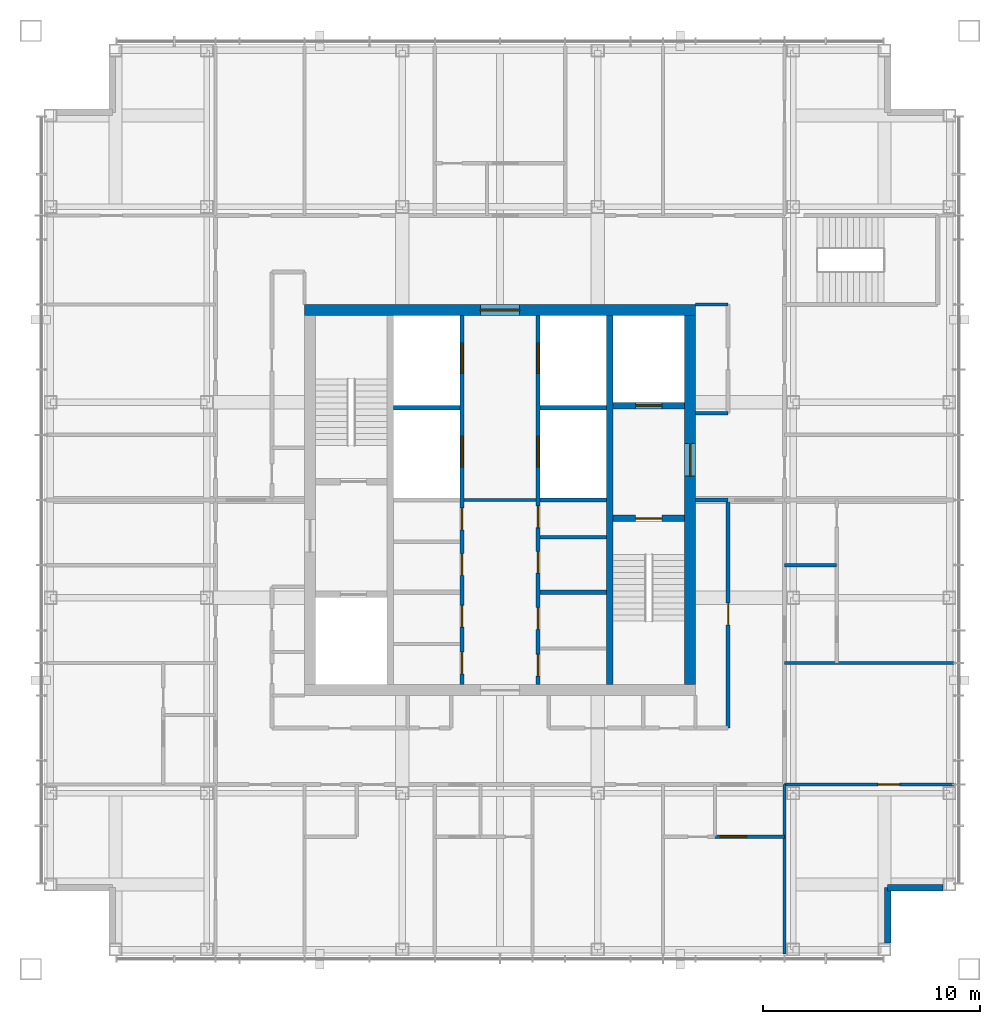
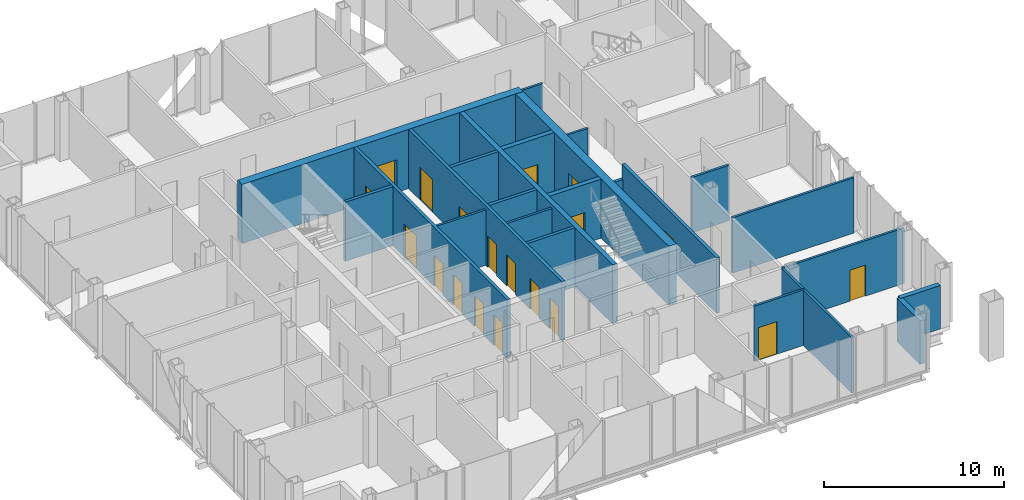
# One storey, part 9 of 12: 24 walls, 19 doors, 19 openings.
"""IFC4 building model written with IfcOpenShell, lengths in metres."""

from ifc_helpers import new_model, si_unit, direction, frame, frame_2d, origin, place, context, subcontext, project, spatial, rectangle, extrude, material, layer, layer_set, type_object, element, fill, save


model = new_model("IFC4")

# Units and contexts
model_context = context("Model", 3, precision=1e-05, world=origin(), true_north=direction((0.0, 1.0)))
body_context = subcontext(model_context, "Body", "Model", "MODEL_VIEW")
ifc_project = project(units=[si_unit("LENGTHUNIT", "METRE"), si_unit("AREAUNIT", "SQUARE_METRE"), si_unit("VOLUMEUNIT", "CUBIC_METRE"), si_unit("PLANEANGLEUNIT", "RADIAN"), si_unit("MASSUNIT", "GRAM", prefix="KILO")], contexts=[model_context])

# Site, building, storey
site_placement = place(None, origin())
site = spatial("IfcSite", under=ifc_project, at=site_placement, CompositionType="ELEMENT")
building_placement = place(site_placement, origin())
building = spatial("IfcBuilding", under=site, at=building_placement, Name="Malebo Sky Hospital", CompositionType="ELEMENT")
storey_placement = place(building_placement, frame((0.0, 0.0, 262.0)))
storey = spatial("IfcBuildingStorey", under=building, at=storey_placement, Name="L63", CompositionType="ELEMENT", Elevation=262.0)

# Wall, openings, doors
ifc_material_1 = material(Name="Concrete C80/95", Category="concrete")
ifc_layer_1 = layer(ifc_material_1, 0.199951171875)
ifc_layer_set_1 = layer_set([ifc_layer_1], Name="CORE INNER WALL 200")
wall_type_1 = type_object("IfcWallType", Name="CORE INNER WALL 200", PredefinedType="SHEAR", material=ifc_layer_set_1)
wall_1_placement = place(storey_placement, frame((58.25, 53.5, 0.0), z_axis=(0.0, 0.0, 1.0), x_axis=(0.0, 1.0, 0.0)))
wall_1 = element("IfcWall", 1, at=wall_1_placement, inside=storey, type_object=wall_type_1, Name="Core wall LW L63", PredefinedType="SHEAR", context=body_context, shape_type="SweptSolid", body=[
    extrude(rectangle(XDim=17.0, YDim=0.199951171875, at=frame_2d((8.5, 0.0))), origin(), (0.0, 0.0, 1.0), 4.0),
])
opening_1_placement = place(wall_1_placement, frame((0.49609375, 0.0, 0.0)))
opening_1 = element("IfcOpeningElement", 2, at=opening_1_placement, cuts=wall_1, Name="Opening D17", PredefinedType="OPENING", context=body_context, shape_type="SweptSolid", body=[
    extrude(rectangle(XDim=1.0, YDim=2.10009765625, at=frame_2d((0.5, 1.050048828125))), frame((0.0, 0.10986328125, 0.0), z_axis=(0.0, -1.0, 0.0), x_axis=(1.0, 0.0, 0.0)), (0.0, 0.0, 1.0), 0.219970703125),
])
opening_2_placement = place(wall_1_placement, frame((2.64599609375, 0.0, 0.0)))
opening_2 = element("IfcOpeningElement", 3, at=opening_2_placement, cuts=wall_1, Name="Opening D17", PredefinedType="OPENING", context=body_context, shape_type="SweptSolid", body=[
    extrude(rectangle(XDim=1.0, YDim=2.10009765625, at=frame_2d((0.5, 1.050048828125))), frame((0.0, 0.10986328125, 0.0), z_axis=(0.0, -1.0, 0.0), x_axis=(1.0, 0.0, 0.0)), (0.0, 0.0, 1.0), 0.219970703125),
])
opening_3_placement = place(wall_1_placement, frame((5.026611328125, 0.0, 0.0)))
opening_3 = element("IfcOpeningElement", 4, at=opening_3_placement, cuts=wall_1, Name="Opening D17", PredefinedType="OPENING", context=body_context, shape_type="SweptSolid", body=[
    extrude(rectangle(XDim=1.0, YDim=2.10009765625, at=frame_2d((0.5, 1.050048828125))), frame((0.0, 0.10986328125, 0.0), z_axis=(0.0, -1.0, 0.0), x_axis=(1.0, 0.0, 0.0)), (0.0, 0.0, 1.0), 0.219970703125),
])
opening_4_placement = place(wall_1_placement, frame((7.12646484375, 0.0, 0.0)))
opening_4 = element("IfcOpeningElement", 5, at=opening_4_placement, cuts=wall_1, Name="Opening D17", PredefinedType="OPENING", context=body_context, shape_type="SweptSolid", body=[
    extrude(rectangle(XDim=1.0, YDim=2.10009765625, at=frame_2d((0.5, 1.050048828125))), frame((0.0, 0.10986328125, 0.0), z_axis=(0.0, -1.0, 0.0), x_axis=(1.0, 0.0, 0.0)), (0.0, 0.0, 1.0), 0.219970703125),
])
opening_5_placement = place(wall_1_placement, frame((10.02490234375, 0.0, 0.0)))
opening_5 = element("IfcOpeningElement", 6, at=opening_5_placement, cuts=wall_1, Name="Opening LD1", PredefinedType="OPENING", context=body_context, shape_type="SweptSolid", body=[
    extrude(rectangle(XDim=1.39990234375, YDim=2.199951171875, at=frame_2d((0.699951171875, 1.10009765625))), frame((0.0, 0.10986328125, 0.0), z_axis=(0.0, -1.0, 0.0), x_axis=(1.0, 0.0, 0.0)), (0.0, 0.0, 1.0), 0.219970703125),
])
opening_6_placement = place(wall_1_placement, frame((14.324951171875, 0.0, 0.0)))
opening_6 = element("IfcOpeningElement", 7, at=opening_6_placement, cuts=wall_1, Name="Opening LD1", PredefinedType="OPENING", context=body_context, shape_type="SweptSolid", body=[
    extrude(rectangle(XDim=1.39990234375, YDim=2.199951171875, at=frame_2d((0.699951171875, 1.10009765625))), frame((0.0, 0.10986328125, 0.0), z_axis=(0.0, -1.0, 0.0), x_axis=(1.0, 0.0, 0.0)), (0.0, 0.0, 1.0), 0.219970703125),
])
ifc_material_2 = material(Name="Hardwood-faced door leaf in steel frame", Category="steel")
door_type_1 = type_object("IfcDoorType", Name="FIRE DOOR 1000", OperationType="SINGLE_SWING_LEFT", PredefinedType="DOOR", material=ifc_material_2)
door_1_placement = place(opening_1_placement, origin())
door_1 = element("IfcDoor", 8, at=door_1_placement, inside=storey, type_object=door_type_1, Name="Archive store door", OperationType="SINGLE_SWING_RIGHT", OverallHeight=2.10009765625, OverallWidth=1.0, PredefinedType="DOOR", context=body_context, shape_type="SweptSolid", body=[
    extrude(rectangle(XDim=1.0, YDim=2.10009765625, at=frame_2d((0.5, 1.050048828125))), frame((0.0, 0.02490234375, 0.0), z_axis=(0.0, -1.0, 0.0), x_axis=(1.0, 0.0, 0.0)), (0.0, 0.0, 1.0), 0.050048828125),
])
fill(opening_1, door_1)
door_2_placement = place(opening_2_placement, origin())
door_2 = element("IfcDoor", 9, at=door_2_placement, inside=storey, type_object=door_type_1, Name="General store door", OperationType="SINGLE_SWING_RIGHT", OverallHeight=2.10009765625, OverallWidth=1.0, PredefinedType="DOOR", context=body_context, shape_type="SweptSolid", body=[
    extrude(rectangle(XDim=1.0, YDim=2.10009765625, at=frame_2d((0.5, 1.050048828125))), frame((0.0, 0.02490234375, 0.0), z_axis=(0.0, -1.0, 0.0), x_axis=(1.0, 0.0, 0.0)), (0.0, 0.0, 1.0), 0.050048828125),
])
fill(opening_2, door_2)
door_3_placement = place(opening_3_placement, origin())
door_3 = element("IfcDoor", 10, at=door_3_placement, inside=storey, type_object=door_type_1, Name="Records store door", OperationType="SINGLE_SWING_RIGHT", OverallHeight=2.10009765625, OverallWidth=1.0, PredefinedType="DOOR", context=body_context, shape_type="SweptSolid", body=[
    extrude(rectangle(XDim=1.0, YDim=2.10009765625, at=frame_2d((0.5, 1.050048828125))), frame((0.0, 0.02490234375, 0.0), z_axis=(0.0, -1.0, 0.0), x_axis=(1.0, 0.0, 0.0)), (0.0, 0.0, 1.0), 0.050048828125),
])
fill(opening_3, door_3)
door_4_placement = place(opening_4_placement, origin())
door_4 = element("IfcDoor", 11, at=door_4_placement, inside=storey, type_object=door_type_1, Name="Equipment store door", OperationType="SINGLE_SWING_RIGHT", OverallHeight=2.10009765625, OverallWidth=1.0, PredefinedType="DOOR", context=body_context, shape_type="SweptSolid", body=[
    extrude(rectangle(XDim=1.0, YDim=2.10009765625, at=frame_2d((0.5, 1.050048828125))), frame((0.0, 0.02490234375, 0.0), z_axis=(0.0, -1.0, 0.0), x_axis=(1.0, 0.0, 0.0)), (0.0, 0.0, 1.0), 0.050048828125),
])
fill(opening_4, door_4)
ifc_material_3 = material(Name="Stainless steel sliding landing door", Category="steel")
door_type_2 = type_object("IfcDoorType", Name="LIFT LANDING DOOR 1400", OperationType="SLIDING_TO_LEFT", PredefinedType="DOOR", material=ifc_material_3)
door_5_placement = place(opening_5_placement, origin())
door_5 = element("IfcDoor", 12, at=door_5_placement, inside=storey, type_object=door_type_2, Name="Lift W3 landing door", OperationType="SLIDING_TO_LEFT", OverallHeight=2.199951171875, OverallWidth=1.39990234375, PredefinedType="DOOR", context=body_context, shape_type="SweptSolid", body=[
    extrude(rectangle(XDim=1.39990234375, YDim=2.199951171875, at=frame_2d((0.699951171875, 1.10009765625))), frame((0.0, 0.02490234375, 0.0), z_axis=(0.0, -1.0, 0.0), x_axis=(1.0, 0.0, 0.0)), (0.0, 0.0, 1.0), 0.050048828125),
])
fill(opening_5, door_5)
door_6_placement = place(opening_6_placement, origin())
door_6 = element("IfcDoor", 13, at=door_6_placement, inside=storey, type_object=door_type_2, Name="Lift W4 landing door", OperationType="SLIDING_TO_LEFT", OverallHeight=2.199951171875, OverallWidth=1.39990234375, PredefinedType="DOOR", context=body_context, shape_type="SweptSolid", body=[
    extrude(rectangle(XDim=1.39990234375, YDim=2.199951171875, at=frame_2d((0.699951171875, 1.10009765625))), frame((0.0, 0.02490234375, 0.0), z_axis=(0.0, -1.0, 0.0), x_axis=(1.0, 0.0, 0.0)), (0.0, 0.0, 1.0), 0.050048828125),
])
fill(opening_6, door_6)

wall_2_placement = place(storey_placement, frame((61.75, 53.5, 0.0), z_axis=(0.0, 0.0, 1.0), x_axis=(0.0, 1.0, 0.0)))
wall_2 = element("IfcWall", 14, at=wall_2_placement, inside=storey, type_object=wall_type_1, Name="Core wall LE L63", PredefinedType="SHEAR", context=body_context, shape_type="SweptSolid", body=[
    extrude(rectangle(XDim=17.0, YDim=0.199951171875, at=frame_2d((8.5, 0.0))), origin(), (0.0, 0.0, 1.0), 4.0),
])
opening_7_placement = place(wall_2_placement, frame((0.392578125, 0.0, 0.0)))
opening_7 = element("IfcOpeningElement", 15, at=opening_7_placement, cuts=wall_2, Name="Opening D17", PredefinedType="OPENING", context=body_context, shape_type="SweptSolid", body=[
    extrude(rectangle(XDim=1.0, YDim=2.10009765625, at=frame_2d((0.5, 1.050048828125))), frame((0.0, 0.10986328125, 0.0), z_axis=(0.0, -1.0, 0.0), x_axis=(1.0, 0.0, 0.0)), (0.0, 0.0, 1.0), 0.219970703125),
])
opening_8_placement = place(wall_2_placement, frame((2.54248046875, 0.0, 0.0)))
opening_8 = element("IfcOpeningElement", 16, at=opening_8_placement, cuts=wall_2, Name="Opening D17", PredefinedType="OPENING", context=body_context, shape_type="SweptSolid", body=[
    extrude(rectangle(XDim=1.0, YDim=2.10009765625, at=frame_2d((0.5, 1.050048828125))), frame((0.0, 0.10986328125, 0.0), z_axis=(0.0, -1.0, 0.0), x_axis=(1.0, 0.0, 0.0)), (0.0, 0.0, 1.0), 0.219970703125),
])
opening_9_placement = place(wall_2_placement, frame((5.12744140625, 0.0, 0.0)))
opening_9 = element("IfcOpeningElement", 17, at=opening_9_placement, cuts=wall_2, Name="Opening D17", PredefinedType="OPENING", context=body_context, shape_type="SweptSolid", body=[
    extrude(rectangle(XDim=1.0, YDim=2.10009765625, at=frame_2d((0.5, 1.050048828125))), frame((0.0, 0.10986328125, 0.0), z_axis=(0.0, -1.0, 0.0), x_axis=(1.0, 0.0, 0.0)), (0.0, 0.0, 1.0), 0.219970703125),
])
opening_10_placement = place(wall_2_placement, frame((7.2275390625, 0.0, 0.0)))
opening_10 = element("IfcOpeningElement", 18, at=opening_10_placement, cuts=wall_2, Name="Opening D17", PredefinedType="OPENING", context=body_context, shape_type="SweptSolid", body=[
    extrude(rectangle(XDim=1.0, YDim=2.10009765625, at=frame_2d((0.5, 1.050048828125))), frame((0.0, 0.10986328125, 0.0), z_axis=(0.0, -1.0, 0.0), x_axis=(1.0, 0.0, 0.0)), (0.0, 0.0, 1.0), 0.219970703125),
])
opening_11_placement = place(wall_2_placement, frame((10.02490234375, 0.0, 0.0)))
opening_11 = element("IfcOpeningElement", 19, at=opening_11_placement, cuts=wall_2, Name="Opening LD1", PredefinedType="OPENING", context=body_context, shape_type="SweptSolid", body=[
    extrude(rectangle(XDim=1.39990234375, YDim=2.199951171875, at=frame_2d((0.699951171875, 1.10009765625))), frame((0.0, 0.10986328125, 0.0), z_axis=(0.0, -1.0, 0.0), x_axis=(1.0, 0.0, 0.0)), (0.0, 0.0, 1.0), 0.219970703125),
])
opening_12_placement = place(wall_2_placement, frame((14.324951171875, 0.0, 0.0)))
opening_12 = element("IfcOpeningElement", 20, at=opening_12_placement, cuts=wall_2, Name="Opening LD1", PredefinedType="OPENING", context=body_context, shape_type="SweptSolid", body=[
    extrude(rectangle(XDim=1.39990234375, YDim=2.199951171875, at=frame_2d((0.699951171875, 1.10009765625))), frame((0.0, 0.10986328125, 0.0), z_axis=(0.0, -1.0, 0.0), x_axis=(1.0, 0.0, 0.0)), (0.0, 0.0, 1.0), 0.219970703125),
])
door_7_placement = place(opening_7_placement, origin())
door_7 = element("IfcDoor", 21, at=door_7_placement, inside=storey, type_object=door_type_1, Name="Linen store door", OperationType="SINGLE_SWING_RIGHT", OverallHeight=2.10009765625, OverallWidth=1.0, PredefinedType="DOOR", context=body_context, shape_type="SweptSolid", body=[
    extrude(rectangle(XDim=1.0, YDim=2.10009765625, at=frame_2d((0.5, 1.050048828125))), frame((0.0, 0.02490234375, 0.0), z_axis=(0.0, -1.0, 0.0), x_axis=(1.0, 0.0, 0.0)), (0.0, 0.0, 1.0), 0.050048828125),
])
fill(opening_7, door_7)
door_8_placement = place(opening_8_placement, origin())
door_8 = element("IfcDoor", 22, at=door_8_placement, inside=storey, type_object=door_type_1, Name="Supplies store door", OperationType="SINGLE_SWING_RIGHT", OverallHeight=2.10009765625, OverallWidth=1.0, PredefinedType="DOOR", context=body_context, shape_type="SweptSolid", body=[
    extrude(rectangle(XDim=1.0, YDim=2.10009765625, at=frame_2d((0.5, 1.050048828125))), frame((0.0, 0.02490234375, 0.0), z_axis=(0.0, -1.0, 0.0), x_axis=(1.0, 0.0, 0.0)), (0.0, 0.0, 1.0), 0.050048828125),
])
fill(opening_8, door_8)
door_9_placement = place(opening_9_placement, origin())
door_9 = element("IfcDoor", 23, at=door_9_placement, inside=storey, type_object=door_type_1, Name="Mattress store door", OperationType="SINGLE_SWING_RIGHT", OverallHeight=2.10009765625, OverallWidth=1.0, PredefinedType="DOOR", context=body_context, shape_type="SweptSolid", body=[
    extrude(rectangle(XDim=1.0, YDim=2.10009765625, at=frame_2d((0.5, 1.050048828125))), frame((0.0, 0.02490234375, 0.0), z_axis=(0.0, -1.0, 0.0), x_axis=(1.0, 0.0, 0.0)), (0.0, 0.0, 1.0), 0.050048828125),
])
fill(opening_9, door_9)
door_10_placement = place(opening_10_placement, origin())
door_10 = element("IfcDoor", 24, at=door_10_placement, inside=storey, type_object=door_type_1, Name="Cleaning equipment store door", OperationType="SINGLE_SWING_RIGHT", OverallHeight=2.10009765625, OverallWidth=1.0, PredefinedType="DOOR", context=body_context, shape_type="SweptSolid", body=[
    extrude(rectangle(XDim=1.0, YDim=2.10009765625, at=frame_2d((0.5, 1.050048828125))), frame((0.0, 0.02490234375, 0.0), z_axis=(0.0, -1.0, 0.0), x_axis=(1.0, 0.0, 0.0)), (0.0, 0.0, 1.0), 0.050048828125),
])
fill(opening_10, door_10)
door_11_placement = place(opening_11_placement, origin())
door_11 = element("IfcDoor", 25, at=door_11_placement, inside=storey, type_object=door_type_2, Name="Lift E3 landing door", OperationType="SLIDING_TO_LEFT", OverallHeight=2.199951171875, OverallWidth=1.39990234375, PredefinedType="DOOR", context=body_context, shape_type="SweptSolid", body=[
    extrude(rectangle(XDim=1.39990234375, YDim=2.199951171875, at=frame_2d((0.699951171875, 1.10009765625))), frame((0.0, 0.02490234375, 0.0), z_axis=(0.0, -1.0, 0.0), x_axis=(1.0, 0.0, 0.0)), (0.0, 0.0, 1.0), 0.050048828125),
])
fill(opening_11, door_11)
door_12_placement = place(opening_12_placement, origin())
door_12 = element("IfcDoor", 26, at=door_12_placement, inside=storey, type_object=door_type_2, Name="Lift E4 landing door", OperationType="SLIDING_TO_LEFT", OverallHeight=2.199951171875, OverallWidth=1.39990234375, PredefinedType="DOOR", context=body_context, shape_type="SweptSolid", body=[
    extrude(rectangle(XDim=1.39990234375, YDim=2.199951171875, at=frame_2d((0.699951171875, 1.10009765625))), frame((0.0, 0.02490234375, 0.0), z_axis=(0.0, -1.0, 0.0), x_axis=(1.0, 0.0, 0.0)), (0.0, 0.0, 1.0), 0.050048828125),
])
fill(opening_12, door_12)

# Walls
for number, where, z_axis, x_axis, name in (
    (27, (61.85009765625, 57.75, 0.0), (0.0, 0.0, 1.0), (1.0, 0.0, 0.0), "Core wall SE0 L63"),
    (28, (61.85009765625, 62.0, 0.0), (0.0, 0.0, 1.0), (1.0, 0.0, 0.0), "Core wall SE1 L63"),
    (29, (55.10009765625, 66.25, 0.0), (0.0, 0.0, 1.0), (1.0, 0.0, 0.0), "Core wall SW2 L63"),
    (30, (61.85009765625, 66.25, 0.0), (0.0, 0.0, 1.0), (1.0, 0.0, 0.0), "Core wall SE2 L63"),
):
    element("IfcWall", number, at=place(storey_placement, frame(where, z_axis=z_axis, x_axis=x_axis)), inside=storey, type_object=wall_type_1, Name=name, PredefinedType="SHEAR", context=body_context, shape_type="SweptSolid", body=[
        extrude(rectangle(XDim=3.0498046875, YDim=0.199951171875, at=frame_2d((1.52490234375, 0.0))), origin(), (0.0, 0.0, 1.0), 4.0),
    ])
ifc_layer_2 = layer(ifc_material_1, 0.300048828125)
ifc_layer_set_2 = layer_set([ifc_layer_2], Name="CORE INNER WALL 300")
wall_type_2 = type_object("IfcWallType", Name="CORE INNER WALL 300", PredefinedType="SHEAR", material=ifc_layer_set_2)
wall_3_placement = place(storey_placement, frame((65.050048828125, 53.5, 0.0), z_axis=(0.0, 0.0, 1.0), x_axis=(0.0, 1.0, 0.0)))
element("IfcWall", 31, at=wall_3_placement, inside=storey, type_object=wall_type_2, Name="Core wall XE L63", PredefinedType="SHEAR", context=body_context, shape_type="SweptSolid", body=[
    extrude(rectangle(XDim=17.0, YDim=0.300048828125, at=frame_2d((8.5, 0.0))), origin(), (0.0, 0.0, 1.0), 4.0),
])

# Wall, opening, door
wall_4_placement = place(storey_placement, frame((65.199951171875, 61.14990234375, 0.0), z_axis=(0.0, 0.0, 1.0), x_axis=(1.0, 0.0, 0.0)))
wall_4 = element("IfcWall", 32, at=wall_4_placement, inside=storey, type_object=wall_type_2, Name="Core wall E1 L63", PredefinedType="SHEAR", context=body_context, shape_type="SweptSolid", body=[
    extrude(rectangle(XDim=3.300048828125, YDim=0.300048828125, at=frame_2d((1.64990234375, 0.0))), origin(), (0.0, 0.0, 1.0), 4.0),
])
opening_13_placement = place(wall_4_placement, frame((1.050048828125, 0.0, 0.0)))
opening_13 = element("IfcOpeningElement", 33, at=opening_13_placement, cuts=wall_4, Name="Opening D08", PredefinedType="OPENING", context=body_context, shape_type="SweptSolid", body=[
    extrude(rectangle(XDim=1.199951171875, YDim=2.10009765625, at=frame_2d((0.60009765625, 1.050048828125))), frame((0.0, 0.159912109375, 0.0), z_axis=(0.0, -1.0, 0.0), x_axis=(1.0, 0.0, 0.0)), (0.0, 0.0, 1.0), 0.320068359375),
])
door_type_3 = type_object("IfcDoorType", Name="STAIR DOOR 1200", OperationType="SINGLE_SWING_LEFT", PredefinedType="DOOR", material=ifc_material_2)
door_13_placement = place(opening_13_placement, origin())
door_13 = element("IfcDoor", 34, at=door_13_placement, inside=storey, type_object=door_type_3, Name="Stair S2 door", OperationType="SINGLE_SWING_LEFT", OverallHeight=2.10009765625, OverallWidth=1.199951171875, PredefinedType="DOOR", context=body_context, shape_type="SweptSolid", body=[
    extrude(rectangle(XDim=1.199951171875, YDim=2.10009765625, at=frame_2d((0.60009765625, 1.050048828125))), frame((0.0, 0.02490234375, 0.0), z_axis=(0.0, -1.0, 0.0), x_axis=(1.0, 0.0, 0.0)), (0.0, 0.0, 1.0), 0.050048828125),
])
fill(opening_13, door_13)

wall_5_placement = place(storey_placement, frame((65.199951171875, 66.35009765625, 0.0), z_axis=(0.0, 0.0, 1.0), x_axis=(1.0, 0.0, 0.0)))
wall_5 = element("IfcWall", 35, at=wall_5_placement, inside=storey, type_object=wall_type_2, Name="Core wall E2 L63", PredefinedType="SHEAR", context=body_context, shape_type="SweptSolid", body=[
    extrude(rectangle(XDim=3.300048828125, YDim=0.300048828125, at=frame_2d((1.64990234375, 0.0))), origin(), (0.0, 0.0, 1.0), 4.0),
])
opening_14_placement = place(wall_5_placement, frame((1.050048828125, 0.0, 0.0)))
opening_14 = element("IfcOpeningElement", 36, at=opening_14_placement, cuts=wall_5, Name="Opening LD2", PredefinedType="OPENING", context=body_context, shape_type="SweptSolid", body=[
    extrude(rectangle(XDim=1.199951171875, YDim=2.199951171875, at=frame_2d((0.60009765625, 1.10009765625))), frame((0.0, 0.159912109375, 0.0), z_axis=(0.0, -1.0, 0.0), x_axis=(1.0, 0.0, 0.0)), (0.0, 0.0, 1.0), 0.320068359375),
])
door_type_4 = type_object("IfcDoorType", Name="FIRE-FIGHTING LIFT LANDING DOOR 1200", OperationType="SLIDING_TO_LEFT", PredefinedType="DOOR", material=ifc_material_3)
door_14_placement = place(opening_14_placement, origin())
door_14 = element("IfcDoor", 37, at=door_14_placement, inside=storey, type_object=door_type_4, Name="Lift FL2 landing door", OperationType="SLIDING_TO_LEFT", OverallHeight=2.199951171875, OverallWidth=1.199951171875, PredefinedType="DOOR", context=body_context, shape_type="SweptSolid", body=[
    extrude(rectangle(XDim=1.199951171875, YDim=2.199951171875, at=frame_2d((0.60009765625, 1.10009765625))), frame((0.0, 0.02490234375, 0.0), z_axis=(0.0, -1.0, 0.0), x_axis=(1.0, 0.0, 0.0)), (0.0, 0.0, 1.0), 0.050048828125),
])
fill(opening_14, door_14)

ifc_layer_3 = layer(ifc_material_1, 0.5)
ifc_layer_set_3 = layer_set([ifc_layer_3], Name="CORE WALL 500")
wall_type_3 = type_object("IfcWallType", Name="CORE WALL 500", PredefinedType="SHEAR", material=ifc_layer_set_3)
wall_6_placement = place(storey_placement, frame((51.0, 70.75, 0.0), z_axis=(0.0, 0.0, 1.0), x_axis=(1.0, 0.0, 0.0)))
wall_6 = element("IfcWall", 38, at=wall_6_placement, inside=storey, type_object=wall_type_3, Name="Core wall N L63", PredefinedType="SHEAR", context=body_context, shape_type="SweptSolid", body=[
    extrude(rectangle(XDim=18.0, YDim=0.5, at=frame_2d((9.0, 0.0))), origin(), (0.0, 0.0, 1.0), 4.0),
])
opening_15_placement = place(wall_6_placement, frame((8.10009765625, 0.0, 0.0)))
opening_15 = element("IfcOpeningElement", 39, at=opening_15_placement, cuts=wall_6, Name="Opening D06", PredefinedType="OPENING", context=body_context, shape_type="SweptSolid", body=[
    extrude(rectangle(XDim=1.800048828125, YDim=2.199951171875, at=frame_2d((0.89990234375, 1.10009765625))), frame((0.0, 0.260009765625, 0.0), z_axis=(0.0, -1.0, 0.0), x_axis=(1.0, 0.0, 0.0)), (0.0, 0.0, 1.0), 0.52001953125),
])
door_type_5 = type_object("IfcDoorType", Name="LOBBY DOOR PAIR 1800", OperationType="DOUBLE_DOOR_SINGLE_SWING", PredefinedType="DOOR", material=ifc_material_2)
door_15_placement = place(opening_15_placement, origin())
door_15 = element("IfcDoor", 40, at=door_15_placement, inside=storey, type_object=door_type_5, Name="Lift lobby door north", OperationType="DOUBLE_DOOR_SINGLE_SWING", OverallHeight=2.199951171875, OverallWidth=1.800048828125, PredefinedType="DOOR", context=body_context, shape_type="SweptSolid", body=[
    extrude(rectangle(XDim=1.800048828125, YDim=2.199951171875, at=frame_2d((0.89990234375, 1.10009765625))), frame((0.0, 0.02490234375, 0.0), z_axis=(0.0, -1.0, 0.0), x_axis=(1.0, 0.0, 0.0)), (0.0, 0.0, 1.0), 0.050048828125),
])
fill(opening_15, door_15)

wall_7_placement = place(storey_placement, frame((68.75, 53.5, 0.0), z_axis=(0.0, 0.0, 1.0), x_axis=(0.0, 1.0, 0.0)))
wall_7 = element("IfcWall", 41, at=wall_7_placement, inside=storey, type_object=wall_type_3, Name="Core wall E L63", PredefinedType="SHEAR", context=body_context, shape_type="SweptSolid", body=[
    extrude(rectangle(XDim=17.0, YDim=0.5, at=frame_2d((8.5, 0.0))), origin(), (0.0, 0.0, 1.0), 4.0),
])
opening_16_placement = place(wall_7_placement, frame((9.60009765625, 0.0, 0.0)))
opening_16 = element("IfcOpeningElement", 42, at=opening_16_placement, cuts=wall_7, Name="Opening D07", PredefinedType="OPENING", context=body_context, shape_type="SweptSolid", body=[
    extrude(rectangle(XDim=1.5, YDim=2.199951171875, at=frame_2d((0.75, 1.10009765625))), frame((0.0, 0.260009765625, 0.0), z_axis=(0.0, -1.0, 0.0), x_axis=(1.0, 0.0, 0.0)), (0.0, 0.0, 1.0), 0.52001953125),
])
door_type_6 = type_object("IfcDoorType", Name="FIRE-FIGHTING LOBBY DOOR PAIR 1500", OperationType="DOUBLE_DOOR_SINGLE_SWING", PredefinedType="DOOR", material=ifc_material_2)
door_16_placement = place(opening_16_placement, origin())
door_16 = element("IfcDoor", 43, at=door_16_placement, inside=storey, type_object=door_type_6, Name="Fire-fighting lobby door east", OperationType="DOUBLE_DOOR_SINGLE_SWING", OverallHeight=2.199951171875, OverallWidth=1.5, PredefinedType="DOOR", context=body_context, shape_type="SweptSolid", body=[
    extrude(rectangle(XDim=1.5, YDim=2.199951171875, at=frame_2d((0.75, 1.10009765625))), frame((0.0, 0.02490234375, 0.0), z_axis=(0.0, -1.0, 0.0), x_axis=(1.0, 0.0, 0.0)), (0.0, 0.0, 1.0), 0.050048828125),
])
fill(opening_16, door_16)

ifc_material_4 = material(Name="Gypsum board on steel studs", Category="steel")
ifc_layer_4 = layer(ifc_material_4, 0.199951171875)
ifc_layer_set_4 = layer_set([ifc_layer_4], Name="CORRIDOR WALL 200")
wall_type_4 = type_object("IfcWallType", Name="CORRIDOR WALL 200", PredefinedType="PARTITIONING", material=ifc_layer_set_4)
wall_8_placement = place(storey_placement, frame((70.5, 62.0, 0.0), z_axis=(0.0, 0.0, 1.0), x_axis=(0.0, -1.0, 0.0)))
wall_8 = element("IfcWall", 44, at=wall_8_placement, inside=storey, type_object=wall_type_4, Name="Corridor Wall 200 ECI2", PredefinedType="PARTITIONING", context=body_context, shape_type="SweptSolid", body=[
    extrude(rectangle(XDim=10.5, YDim=0.199951171875, at=frame_2d((5.25, 0.0))), origin(), (0.0, 0.0, 1.0), 3.75),
])
opening_17_placement = place(wall_8_placement, frame((4.75, 0.0, 0.0)))
opening_17 = element("IfcOpeningElement", 45, at=opening_17_placement, cuts=wall_8, Name="Opening D03", PredefinedType="OPENING", context=body_context, shape_type="SweptSolid", body=[
    extrude(rectangle(XDim=1.0, YDim=2.10009765625, at=frame_2d((0.5, 1.050048828125))), frame((0.0, 0.10986328125, 0.0), z_axis=(0.0, -1.0, 0.0), x_axis=(1.0, 0.0, 0.0)), (0.0, 0.0, 1.0), 0.219970703125),
])
door_type_7 = type_object("IfcDoorType", Name="ROOM DOOR 1000", OperationType="SINGLE_SWING_LEFT", PredefinedType="DOOR", material=ifc_material_2)
door_17_placement = place(opening_17_placement, origin())
door_17 = element("IfcDoor", 46, at=door_17_placement, inside=storey, type_object=door_type_7, Name="Mobile equipment store door", OperationType="SINGLE_SWING_LEFT", OverallHeight=2.10009765625, OverallWidth=1.0, PredefinedType="DOOR", context=body_context, shape_type="SweptSolid", body=[
    extrude(rectangle(XDim=1.0, YDim=2.10009765625, at=frame_2d((0.5, 1.050048828125))), frame((0.0, 0.02490234375, 0.0), z_axis=(0.0, -1.0, 0.0), x_axis=(1.0, 0.0, 0.0)), (0.0, 0.0, 1.0), 0.050048828125),
])
fill(opening_17, door_17)

# Walls
ifc_material_5 = material(Name="Anodised aluminium rainscreen on steel framing", Category="steel")
ifc_layer_5 = layer(ifc_material_5, 0.300048828125)
ifc_layer_set_5 = layer_set([ifc_layer_5], Name="NOTCH RAINSCREEN WALL 300")
wall_type_5 = type_object("IfcWallType", Name="NOTCH RAINSCREEN WALL 300", PredefinedType="ELEMENTEDWALL", material=ifc_layer_set_5)
for number, where, z_axis, x_axis, name in (
    (47, (80.39990234375, 44.14990234375, 0.0), (0.0, 0.0, 1.0), (-1.0, 0.0, 0.0), "Notch rainscreen wall E1 L63"),
    (48, (77.85009765625, 44.14990234375, 0.0), (0.0, 0.0, 1.0), (0.0, -1.0, 0.0), "Notch rainscreen wall E2 L63"),
):
    element("IfcWall", number, at=place(storey_placement, frame(where, z_axis=z_axis, x_axis=x_axis)), inside=storey, type_object=wall_type_5, Name=name, PredefinedType="ELEMENTEDWALL", context=body_context, shape_type="SweptSolid", body=[
        extrude(rectangle(XDim=2.5498046875, YDim=0.300048828125, at=frame_2d((1.27490234375, 0.0))), origin(), (0.0, 0.0, 1.0), 2.949951171875),
    ])
ifc_layer_6 = layer(ifc_material_4, 0.14990234375)
ifc_layer_set_6 = layer_set([ifc_layer_6], Name="PARTITION 150")
wall_type_6 = type_object("IfcWallType", Name="PARTITION 150", PredefinedType="PARTITIONING", material=ifc_layer_set_6)
for number, where, z_axis, x_axis, name in (
    (49, (73.10009765625, 48.89990234375, 0.0), (0.0, 0.0, 1.0), (0.0, -1.0, 0.0), "Partition 150 SP0"),
    (50, (73.10009765625, 54.5, 0.0), (0.0, 0.0, 1.0), (1.0, 0.0, 0.0), "Partition 150 EP+7.5"),
):
    element("IfcWall", number, at=place(storey_placement, frame(where, z_axis=z_axis, x_axis=x_axis)), inside=storey, type_object=wall_type_6, Name=name, PredefinedType="PARTITIONING", context=body_context, shape_type="SweptSolid", body=[
        extrude(rectangle(XDim=7.7998046875, YDim=0.14990234375, at=frame_2d((3.89990234375, 0.0))), origin(), (0.0, 0.0, 1.0), 3.75),
    ])
wall_9_placement = place(storey_placement, frame((73.10009765625, 59.0, 0.0), z_axis=(0.0, 0.0, 1.0), x_axis=(1.0, 0.0, 0.0)))
element("IfcWall", 51, at=wall_9_placement, inside=storey, type_object=wall_type_6, Name="Partition 150 EE3S", PredefinedType="PARTITIONING", context=body_context, shape_type="SweptSolid", body=[
    extrude(rectangle(XDim=2.39990234375, YDim=0.14990234375, at=frame_2d((1.199951171875, 0.0))), origin(), (0.0, 0.0, 1.0), 3.75),
])

# Wall, opening, door
wall_10_placement = place(storey_placement, frame((73.10009765625, 48.89990234375, 0.0), z_axis=(0.0, 0.0, 1.0), x_axis=(1.0, 0.0, 0.0)))
wall_10 = element("IfcWall", 52, at=wall_10_placement, inside=storey, type_object=wall_type_6, Name="Partition 150 EK", PredefinedType="PARTITIONING", context=body_context, shape_type="SweptSolid", body=[
    extrude(rectangle(XDim=7.7998046875, YDim=0.14990234375, at=frame_2d((3.89990234375, 0.0))), origin(), (0.0, 0.0, 1.0), 3.75),
])
opening_18_placement = place(wall_10_placement, frame((4.300048828125, 0.0, 0.0)))
opening_18 = element("IfcOpeningElement", 53, at=opening_18_placement, cuts=wall_10, Name="Opening D03", PredefinedType="OPENING", context=body_context, shape_type="SweptSolid", body=[
    extrude(rectangle(XDim=1.0, YDim=2.10009765625, at=frame_2d((0.5, 1.050048828125))), frame((0.0, 0.0849609375, 0.0), z_axis=(0.0, -1.0, 0.0), x_axis=(1.0, 0.0, 0.0)), (0.0, 0.0, 1.0), 0.169921875),
])
door_18_placement = place(opening_18_placement, origin())
door_18 = element("IfcDoor", 54, at=door_18_placement, inside=storey, type_object=door_type_7, Name="Servery door", OperationType="SINGLE_SWING_RIGHT", OverallHeight=2.10009765625, OverallWidth=1.0, PredefinedType="DOOR", context=body_context, shape_type="SweptSolid", body=[
    extrude(rectangle(XDim=1.0, YDim=2.10009765625, at=frame_2d((0.5, 1.050048828125))), frame((0.0, 0.02490234375, 0.0), z_axis=(0.0, -1.0, 0.0), x_axis=(1.0, 0.0, 0.0)), (0.0, 0.0, 1.0), 0.050048828125),
])
fill(opening_18, door_18)

# Walls
for number, where, z_axis, x_axis, name in (
    (55, (69.0, 71.0, 0.0), (0.0, 0.0, 1.0), (1.0, 0.0, 0.0), "Partition 150 ESP0"),
    (56, (69.0, 66.0, 0.0), (0.0, 0.0, 1.0), (1.0, 0.0, 0.0), "Partition 150 ESPA"),
):
    element("IfcWall", number, at=place(storey_placement, frame(where, z_axis=z_axis, x_axis=x_axis)), inside=storey, type_object=wall_type_6, Name=name, PredefinedType="PARTITIONING", context=body_context, shape_type="SweptSolid", body=[
        extrude(rectangle(XDim=1.5, YDim=0.14990234375, at=frame_2d((0.75, 0.0))), origin(), (0.0, 0.0, 1.0), 3.75),
    ])
wall_11_placement = place(storey_placement, frame((61.85009765625, 60.280029296875, 0.0), z_axis=(0.0, 0.0, 1.0), x_axis=(1.0, 0.0, 0.0)))
element("IfcWall", 57, at=wall_11_placement, inside=storey, type_object=wall_type_6, Name="Partition 150 SHE2", PredefinedType="PARTITIONING", context=body_context, shape_type="SweptSolid", body=[
    extrude(rectangle(XDim=3.0498046875, YDim=0.14990234375, at=frame_2d((1.52490234375, 0.0))), origin(), (0.0, 0.0, 1.0), 3.75),
])
wall_12_placement = place(storey_placement, frame((58.35009765625, 62.0, 0.0), z_axis=(0.0, 0.0, 1.0), x_axis=(1.0, 0.0, 0.0)))
element("IfcWall", 58, at=wall_12_placement, inside=storey, type_object=wall_type_6, Name="Partition 150 LBS", PredefinedType="PARTITIONING", context=body_context, shape_type="SweptSolid", body=[
    extrude(rectangle(XDim=3.2998046875, YDim=0.14990234375, at=frame_2d((1.64990234375, 0.0))), origin(), (0.0, 0.0, 1.0), 3.75),
])

# Wall, opening, door
ifc_material_6 = material(Name="Sealed gypsum board on steel studs, taped to the slab", Category="steel")
ifc_layer_7 = layer(ifc_material_6, 0.14990234375)
ifc_layer_set_7 = layer_set([ifc_layer_7], Name="SEALED ISOLATION PARTITION 150")
wall_type_7 = type_object("IfcWallType", Name="SEALED ISOLATION PARTITION 150", PredefinedType="PARTITIONING", material=ifc_layer_set_7)
wall_13_placement = place(storey_placement, frame((73.10009765625, 46.5, 0.0), z_axis=(0.0, 0.0, 1.0), x_axis=(-1.0, 0.0, 0.0)))
wall_13 = element("IfcWall", 59, at=wall_13_placement, inside=storey, type_object=wall_type_7, Name="Sealed Isolation Partition 150 SA0F", PredefinedType="PARTITIONING", context=body_context, shape_type="SweptSolid", body=[
    extrude(rectangle(XDim=3.2001953125, YDim=0.14990234375, at=frame_2d((1.60009765625, 0.0))), origin(), (0.0, 0.0, 1.0), 3.75),
])
opening_19_placement = place(wall_13_placement, frame((1.75, 0.0, 0.0)))
opening_19 = element("IfcOpeningElement", 60, at=opening_19_placement, cuts=wall_13, Name="Opening D19", PredefinedType="OPENING", context=body_context, shape_type="SweptSolid", body=[
    extrude(rectangle(XDim=1.199951171875, YDim=2.199951171875, at=frame_2d((0.60009765625, 1.10009765625))), frame((0.0, 0.0849609375, 0.0), z_axis=(0.0, -1.0, 0.0), x_axis=(1.0, 0.0, 0.0)), (0.0, 0.0, 1.0), 0.169921875),
])
ifc_material_7 = material(Name="Hardwood-faced door leaf with perimeter seals in steel frame", Category="steel")
door_type_8 = type_object("IfcDoorType", Name="SEALED ISOLATION ROOM DOOR 1200", OperationType="SINGLE_SWING_LEFT", PredefinedType="DOOR", material=ifc_material_7)
door_19_placement = place(opening_19_placement, origin())
door_19 = element("IfcDoor", 61, at=door_19_placement, inside=storey, type_object=door_type_8, Name="Isolation room door", OperationType="SINGLE_SWING_RIGHT", OverallHeight=2.199951171875, OverallWidth=1.199951171875, PredefinedType="DOOR", context=body_context, shape_type="SweptSolid", body=[
    extrude(rectangle(XDim=1.199951171875, YDim=2.199951171875, at=frame_2d((0.60009765625, 1.10009765625))), frame((0.0, 0.02490234375, 0.0), z_axis=(0.0, -1.0, 0.0), x_axis=(1.0, 0.0, 0.0)), (0.0, 0.0, 1.0), 0.050048828125),
])
fill(opening_19, door_19)

# Wall
ifc_material_8 = material(Name="Concrete blockwork", Category="masonry")
ifc_layer_8 = layer(ifc_material_8, 0.199951171875)
ifc_layer_set_8 = layer_set([ifc_layer_8], Name="SMOKE BARRIER WALL 200")
wall_type_8 = type_object("IfcWallType", Name="SMOKE BARRIER WALL 200", PredefinedType="SOLIDWALL", material=ifc_layer_set_8)
wall_14_placement = place(storey_placement, frame((69.0, 62.0, 0.0), z_axis=(0.0, 0.0, 1.0), x_axis=(1.0, 0.0, 0.0)))
element("IfcWall", 62, at=wall_14_placement, inside=storey, type_object=wall_type_8, Name="Smoke Barrier Wall 200 ESPB", PredefinedType="SOLIDWALL", context=body_context, shape_type="SweptSolid", body=[
    extrude(rectangle(XDim=1.5, YDim=0.199951171875, at=frame_2d((0.75, 0.0))), origin(), (0.0, 0.0, 1.0), 2.75),
])

save(model, "model.ifc")
